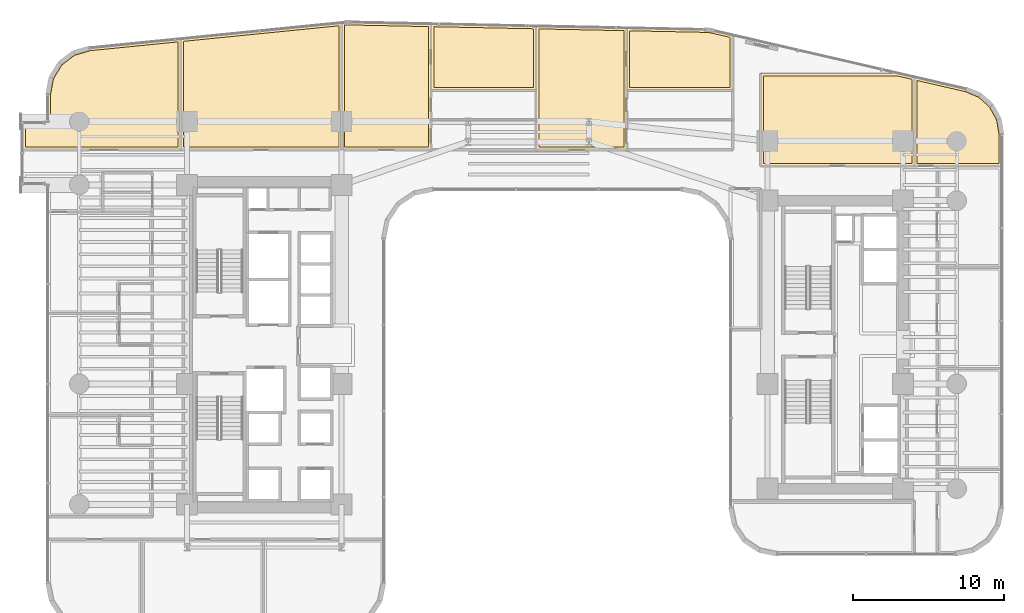
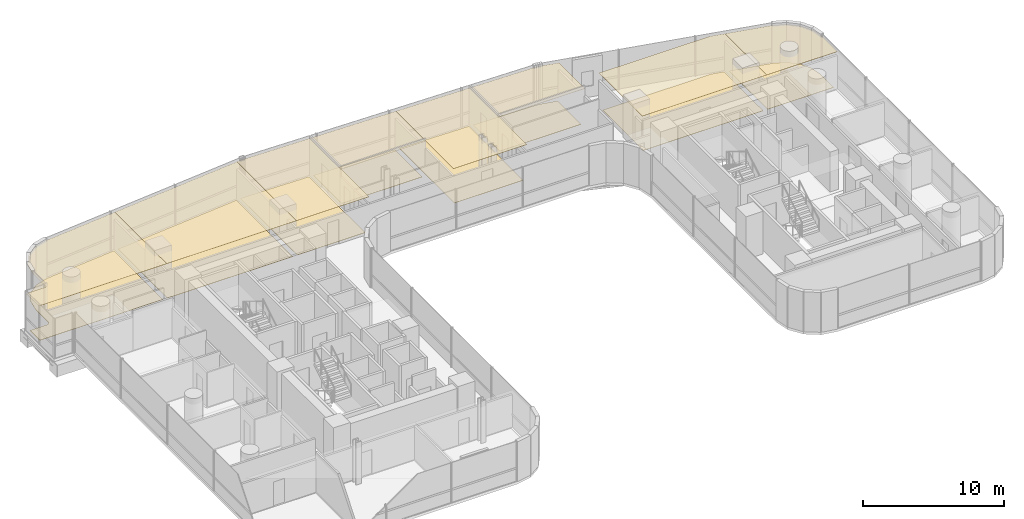
# One storey, part 41 of 41: 16 coverings.
"""IFC4 building model written with IfcOpenShell, lengths in metres."""

from ifc_helpers import new_model, si_unit, direction, frame, origin, place, context, subcontext, project, spatial, polyline, outline, extrude, material, layer, layer_set, type_object, element, save


model = new_model("IFC4")

# Units and contexts
model_context = context("Model", 3, precision=1e-05, world=origin(), true_north=direction((0.0, 1.0)))
body_context = subcontext(model_context, "Body", "Model", "MODEL_VIEW")
ifc_project = project(units=[si_unit("LENGTHUNIT", "METRE"), si_unit("AREAUNIT", "SQUARE_METRE"), si_unit("VOLUMEUNIT", "CUBIC_METRE"), si_unit("PLANEANGLEUNIT", "RADIAN"), si_unit("MASSUNIT", "GRAM", prefix="KILO")], contexts=[model_context])

# Site, building, storey
site_placement = place(None, origin())
site = spatial("IfcSite", under=ifc_project, at=site_placement, CompositionType="ELEMENT")
building_placement = place(site_placement, origin())
building = spatial("IfcBuilding", under=site, at=building_placement, Name="Valdorenza Pilgrim Sanctuary Tower", CompositionType="ELEMENT")
storey_placement = place(building_placement, frame((0.0, 0.0, 85.199951171875)))
storey = spatial("IfcBuildingStorey", under=building, at=storey_placement, Name="L21", CompositionType="ELEMENT", Elevation=85.199951171875)

# Coverings
ifc_material_1 = material(Name="Micro-perforated acoustic mineral ceiling tile", Category="gypsum")
ifc_layer_1 = layer(ifc_material_1, 0.02490234375, Name="Micro-perforated acoustic mineral ceiling tile")
ifc_layer_set_1 = layer_set([ifc_layer_1], Name="Micro-perforated acoustic mineral ceiling tile")
covering_type_1 = type_object("IfcCoveringType", Name="COV-CLG-ACU", PredefinedType="CEILING", material=ifc_layer_set_1)
covering_1_placement = place(storey_placement, frame((0.0, 0.0, 3.16015625)))
element("IfcCovering", 1, at=covering_1_placement, inside=storey, type_object=covering_type_1, Name="L21 Sacred Art Exhibition Gallery L21-N1 Acoustic Ceiling", PredefinedType="CEILING", context=body_context, shape_type="SweptSolid", body=[
    extrude(outline(polyline([(-33.5400390625, 12.905029296875), (-33.54150390625, 12.905029296875), (-33.54296875, 12.9052734375), (-33.54443359375, 12.905517578125), (-33.545654296875, 12.906005859375), (-33.547119140625, 12.90673828125), (-33.54833984375, 12.907470703125), (-33.549560546875, 12.908447265625), (-33.550537109375, 12.909423828125), (-33.551513671875, 12.910400390625), (-33.552490234375, 12.91162109375), (-33.55322265625, 12.912841796875), (-33.553955078125, 12.914306640625), (-33.554443359375, 12.91552734375), (-33.5546875, 12.9169921875), (-33.554931640625, 12.91845703125), (-33.554931640625, 12.919921875), (-33.554931640625, 14.68994140625), (-33.554931640625, 14.69140625), (-33.5546875, 14.69287109375), (-33.554443359375, 14.6943359375), (-33.553955078125, 14.69580078125), (-33.55322265625, 14.697021484375), (-33.552490234375, 14.6982421875), (-33.551513671875, 14.699462890625), (-33.550537109375, 14.70068359375), (-33.549560546875, 14.70166015625), (-33.54833984375, 14.702392578125), (-33.547119140625, 14.703125), (-33.545654296875, 14.703857421875), (-33.54443359375, 14.704345703125), (-33.54296875, 14.70458984375), (-33.54150390625, 14.704833984375), (-33.5400390625, 14.705078125), (-32.00048828125, 14.705078125), (-31.99072265625, 14.70556640625), (-31.9814453125, 14.706787109375), (-31.972412109375, 14.708984375), (-31.963623046875, 14.712158203125), (-31.955078125, 14.71630859375), (-31.947265625, 14.720947265625), (-31.939697265625, 14.7265625), (-31.932861328125, 14.73291015625), (-31.926513671875, 14.73974609375), (-31.9208984375, 14.747314453125), (-31.916259765625, 14.755126953125), (-31.912109375, 14.763671875), (-31.9091796875, 14.7724609375), (-31.90673828125, 14.781494140625), (-31.905517578125, 14.790771484375), (-31.905029296875, 14.80029296875), (-31.905029296875, 16.593994140625), (-31.90478515625, 16.59521484375), (-31.90478515625, 16.5966796875), (-31.6962890625, 17.717041015625), (-31.696044921875, 17.718505859375), (-31.695556640625, 17.7197265625), (-31.695068359375, 17.720947265625), (-31.6943359375, 17.72216796875), (-31.102294921875, 18.68408203125), (-31.1015625, 18.685302734375), (-31.100830078125, 18.686279296875), (-31.099853515625, 18.687255859375), (-31.0986328125, 18.688232421875), (-30.20068359375, 19.372802734375), (-30.199462890625, 19.37353515625), (-30.1982421875, 19.374267578125), (-30.197021484375, 19.374755859375), (-30.19580078125, 19.375244140625), (-29.1015625, 19.694091796875), (-29.10009765625, 19.694580078125), (-29.098876953125, 19.694580078125), (-23.071533203125, 20.29736328125), (-23.070068359375, 20.297607421875), (-23.068603515625, 20.29736328125), (-23.067138671875, 20.297119140625), (-23.065673828125, 20.296875), (-23.064208984375, 20.29638671875), (-23.06298828125, 20.295654296875), (-23.061767578125, 20.294921875), (-23.060546875, 20.294189453125), (-23.059326171875, 20.293212890625), (-23.058349609375, 20.2919921875), (-23.0576171875, 20.290771484375), (-23.056884765625, 20.28955078125), (-23.05615234375, 20.2880859375), (-23.0556640625, 20.286865234375), (-23.055419921875, 20.285400390625), (-23.05517578125, 20.283935546875), (-23.054931640625, 20.282470703125), (-23.054931640625, 12.919921875), (-23.05517578125, 12.91845703125), (-23.055419921875, 12.9169921875), (-23.0556640625, 12.91552734375), (-23.05615234375, 12.914306640625), (-23.056884765625, 12.912841796875), (-23.0576171875, 12.91162109375), (-23.058349609375, 12.910400390625), (-23.059326171875, 12.909423828125), (-23.060546875, 12.908447265625), (-23.061767578125, 12.907470703125), (-23.06298828125, 12.90673828125), (-23.064208984375, 12.906005859375), (-23.065673828125, 12.905517578125), (-23.067138671875, 12.9052734375), (-23.068603515625, 12.905029296875), (-23.070068359375, 12.905029296875), (-33.5400390625, 12.905029296875)])), origin(), (0.0, 0.0, 1.0), 0.02490234375),
])
covering_2_placement = place(storey_placement, frame((0.0, 0.0, 3.16015625)))
element("IfcCovering", 2, at=covering_2_placement, inside=storey, type_object=covering_type_1, Name="L21 Sacred Manuscript Archive L21-N2 Acoustic Ceiling", PredefinedType="CEILING", context=body_context, shape_type="SweptSolid", body=[
    extrude(outline(polyline([(-23.0830078125, 20.282470703125), (-23.0830078125, 20.283447265625), (-23.082763671875, 20.284912109375), (-23.08251953125, 20.28662109375), (-23.08203125, 20.287841796875), (-23.08154296875, 20.289306640625), (-23.080810546875, 20.290771484375), (-23.079833984375, 20.2919921875), (-23.078857421875, 20.29296875), (-23.07763671875, 20.294189453125), (-23.076416015625, 20.294921875), (-23.0751953125, 20.2958984375), (-23.073974609375, 20.29638671875), (-23.072509765625, 20.297119140625), (-23.071044921875, 20.29736328125), (-23.069580078125, 20.297607421875), (-12.401611328125, 21.364501953125), (-12.39990234375, 21.364501953125), (-12.3984375, 21.364501953125), (-12.397216796875, 21.3642578125), (-12.395751953125, 21.36376953125), (-12.394287109375, 21.36328125), (-12.392822265625, 21.36279296875), (-12.3916015625, 21.36181640625), (-12.390380859375, 21.361083984375), (-12.389404296875, 21.360107421875), (-12.388427734375, 21.35888671875), (-12.387451171875, 21.35791015625), (-12.38671875, 21.3564453125), (-12.385986328125, 21.355224609375), (-12.385498046875, 21.353759765625), (-12.38525390625, 21.352294921875), (-12.385009765625, 21.350830078125), (-12.385009765625, 21.349609375), (-12.385009765625, 12.919921875), (-12.385009765625, 12.91845703125), (-12.38525390625, 12.9169921875), (-12.385498046875, 12.91552734375), (-12.385986328125, 12.914306640625), (-12.38671875, 12.912841796875), (-12.387451171875, 12.91162109375), (-12.388427734375, 12.910400390625), (-12.389404296875, 12.909423828125), (-12.390380859375, 12.908447265625), (-12.3916015625, 12.907470703125), (-12.392822265625, 12.90673828125), (-12.394287109375, 12.906005859375), (-12.3955078125, 12.905517578125), (-12.397216796875, 12.9052734375), (-12.3984375, 12.905029296875), (-12.39990234375, 12.905029296875), (-23.068115234375, 12.905029296875), (-23.069580078125, 12.905029296875), (-23.07080078125, 12.9052734375), (-23.072509765625, 12.905517578125), (-23.07373046875, 12.906005859375), (-23.0751953125, 12.90673828125), (-23.076416015625, 12.907470703125), (-23.077392578125, 12.908447265625), (-23.07861328125, 12.909423828125), (-23.07958984375, 12.910400390625), (-23.08056640625, 12.91162109375), (-23.081298828125, 12.912841796875), (-23.081787109375, 12.914306640625), (-23.08251953125, 12.91552734375), (-23.082763671875, 12.9169921875), (-23.0830078125, 12.91845703125), (-23.0830078125, 12.919921875), (-23.0830078125, 20.282470703125), (-23.0830078125, 20.282470703125)])), origin(), (0.0, 0.0, 1.0), 0.02490234375),
])
covering_3_placement = place(storey_placement, frame((0.0, 0.0, 3.16015625)))
element("IfcCovering", 3, at=covering_3_placement, inside=storey, type_object=covering_type_1, Name="L21 North Sanctuary Apartment L21-N3 Bedroom Acoustic Ceiling", PredefinedType="CEILING", context=body_context, shape_type="SweptSolid", body=[
    extrude(outline(polyline([(-6.466064453125, 16.85498046875), (-6.467529296875, 16.85498046875), (-6.468994140625, 16.855224609375), (-6.470458984375, 16.855712890625), (-6.4716796875, 16.856201171875), (-6.47314453125, 16.856689453125), (-6.474365234375, 16.857421875), (-6.4755859375, 16.8583984375), (-6.4765625, 16.859375), (-6.4775390625, 16.860595703125), (-6.478515625, 16.86181640625), (-6.479248046875, 16.86279296875), (-6.47998046875, 16.8642578125), (-6.48046875, 16.865478515625), (-6.480712890625, 16.8671875), (-6.48095703125, 16.868408203125), (-6.48095703125, 16.8701171875), (-6.48095703125, 21.274658203125), (-6.48095703125, 21.276123046875), (-6.480712890625, 21.277587890625), (-6.480224609375, 21.279052734375), (-6.479736328125, 21.280517578125), (-6.479248046875, 21.281982421875), (-6.478515625, 21.283203125), (-6.4775390625, 21.2841796875), (-6.4765625, 21.285400390625), (-6.475341796875, 21.286376953125), (-6.47412109375, 21.287353515625), (-6.472900390625, 21.2880859375), (-6.471435546875, 21.28857421875), (-6.47021484375, 21.2890625), (-6.46875, 21.28955078125), (-6.46728515625, 21.289794921875), (-6.4658203125, 21.289794921875), (0.500244140625, 21.14453125), (0.501708984375, 21.14453125), (0.503173828125, 21.144287109375), (0.504638671875, 21.143798828125), (0.506103515625, 21.143310546875), (0.50732421875, 21.142578125), (0.508544921875, 21.141845703125), (0.509765625, 21.14111328125), (0.5107421875, 21.14013671875), (0.51171875, 21.138916015625), (0.512451171875, 21.1376953125), (0.51318359375, 21.13671875), (0.513916015625, 21.13525390625), (0.514404296875, 21.1337890625), (0.5146484375, 21.132568359375), (0.514892578125, 21.131103515625), (0.514892578125, 21.129638671875), (0.514892578125, 16.8701171875), (0.514892578125, 16.868408203125), (0.5146484375, 16.8671875), (0.514404296875, 16.865478515625), (0.513916015625, 16.8642578125), (0.51318359375, 16.86279296875), (0.512451171875, 16.86181640625), (0.51171875, 16.860595703125), (0.510498046875, 16.859375), (0.509521484375, 16.8583984375), (0.50830078125, 16.857421875), (0.507080078125, 16.856689453125), (0.505615234375, 16.856201171875), (0.50439453125, 16.855712890625), (0.5029296875, 16.855224609375), (0.50146484375, 16.85498046875), (0.5, 16.85498046875), (-6.466064453125, 16.85498046875)])), origin(), (0.0, 0.0, 1.0), 0.02490234375),
])
covering_4_placement = place(storey_placement, frame((0.0, 0.0, 3.16015625)))
element("IfcCovering", 4, at=covering_4_placement, inside=storey, type_object=covering_type_1, Name="L21 North Sanctuary Apartment L21-N3 Living Room Acoustic Ceiling", PredefinedType="CEILING", context=body_context, shape_type="SweptSolid", body=[
    extrude(outline(polyline([(-12.4130859375, 21.349609375), (-12.4130859375, 21.3505859375), (-12.412841796875, 21.35205078125), (-12.41259765625, 21.353515625), (-12.412109375, 21.35498046875), (-12.41162109375, 21.356201171875), (-12.41064453125, 21.357666015625), (-12.409912109375, 21.35888671875), (-12.408935546875, 21.360107421875), (-12.40771484375, 21.361083984375), (-12.406494140625, 21.362060546875), (-12.4052734375, 21.36279296875), (-12.40380859375, 21.363525390625), (-12.402587890625, 21.364013671875), (-12.40087890625, 21.364501953125), (-12.3994140625, 21.364501953125), (-12.18359375, 21.38623046875), (-12.183349609375, 21.38623046875), (-12.089599609375, 21.39404296875), (-12.089111328125, 21.39404296875), (-11.996337890625, 21.399169921875), (-11.995849609375, 21.3994140625), (-11.902587890625, 21.401611328125), (-11.90234375, 21.401611328125), (-11.808349609375, 21.40087890625), (-11.80810546875, 21.40087890625), (-6.4677734375, 21.289794921875), (-6.46630859375, 21.28955078125), (-6.46484375, 21.289306640625), (-6.46337890625, 21.2890625), (-6.4619140625, 21.28857421875), (-6.460693359375, 21.287841796875), (-6.45947265625, 21.287109375), (-6.458251953125, 21.2861328125), (-6.457275390625, 21.28515625), (-6.456298828125, 21.2841796875), (-6.45556640625, 21.282958984375), (-6.45458984375, 21.28173828125), (-6.4541015625, 21.280517578125), (-6.45361328125, 21.279052734375), (-6.453369140625, 21.277587890625), (-6.453125, 21.276123046875), (-6.452880859375, 21.274658203125), (-6.452880859375, 16.87548828125), (-6.45263671875, 16.875), (-6.4521484375, 16.87353515625), (-6.45166015625, 16.872314453125), (-6.451416015625, 16.870849609375), (-6.451171875, 16.869384765625), (-6.450927734375, 16.867919921875), (-6.450927734375, 12.919921875), (-6.451171875, 12.91845703125), (-6.451416015625, 12.9169921875), (-6.45166015625, 12.91552734375), (-6.4521484375, 12.914306640625), (-6.452880859375, 12.912841796875), (-6.45361328125, 12.91162109375), (-6.454345703125, 12.910400390625), (-6.455322265625, 12.909423828125), (-6.45654296875, 12.908447265625), (-6.457763671875, 12.907470703125), (-6.458984375, 12.90673828125), (-6.460205078125, 12.906005859375), (-6.461669921875, 12.905517578125), (-6.463134765625, 12.9052734375), (-6.464599609375, 12.905029296875), (-6.466064453125, 12.905029296875), (-12.39794921875, 12.905029296875), (-12.3994140625, 12.905029296875), (-12.40087890625, 12.9052734375), (-12.40234375, 12.905517578125), (-12.40380859375, 12.906005859375), (-12.405029296875, 12.90673828125), (-12.40625, 12.907470703125), (-12.407470703125, 12.908447265625), (-12.40869140625, 12.909423828125), (-12.40966796875, 12.910400390625), (-12.410400390625, 12.91162109375), (-12.4111328125, 12.912841796875), (-12.411865234375, 12.914306640625), (-12.412353515625, 12.91552734375), (-12.41259765625, 12.9169921875), (-12.412841796875, 12.91845703125), (-12.4130859375, 12.919921875), (-12.4130859375, 21.349609375), (-12.4130859375, 21.349609375)])), origin(), (0.0, 0.0, 1.0), 0.02490234375),
])
covering_5_placement = place(storey_placement, frame((0.0, 0.0, 3.16015625)))
element("IfcCovering", 5, at=covering_5_placement, inside=storey, type_object=covering_type_1, Name="L21 North Sanctuary Apartment L21-N4 Bedroom Acoustic Ceiling", PredefinedType="CEILING", context=body_context, shape_type="SweptSolid", body=[
    extrude(outline(polyline([(6.5029296875, 16.85498046875), (6.50146484375, 16.85498046875), (6.5, 16.855224609375), (6.49853515625, 16.855712890625), (6.497314453125, 16.856201171875), (6.495849609375, 16.856689453125), (6.49462890625, 16.857421875), (6.493408203125, 16.8583984375), (6.492431640625, 16.859375), (6.491455078125, 16.860595703125), (6.490478515625, 16.86181640625), (6.48974609375, 16.86279296875), (6.489013671875, 16.8642578125), (6.488525390625, 16.865478515625), (6.48828125, 16.8671875), (6.488037109375, 16.868408203125), (6.488037109375, 16.8701171875), (6.488037109375, 21.00439453125), (6.488037109375, 21.006103515625), (6.48828125, 21.007568359375), (6.48876953125, 21.0087890625), (6.4892578125, 21.01025390625), (6.48974609375, 21.01171875), (6.490478515625, 21.012939453125), (6.491455078125, 21.01416015625), (6.492431640625, 21.01513671875), (6.49365234375, 21.01611328125), (6.494873046875, 21.01708984375), (6.49609375, 21.017822265625), (6.49755859375, 21.0185546875), (6.498779296875, 21.018798828125), (6.500244140625, 21.019287109375), (6.501708984375, 21.01953125), (6.50341796875, 21.01953125), (11.666015625, 20.912109375), (11.66650390625, 20.911865234375), (11.82666015625, 20.904296875), (11.827392578125, 20.904296875), (11.98583984375, 20.888916015625), (11.986572265625, 20.888671875), (12.143798828125, 20.864990234375), (12.14453125, 20.864990234375), (12.302001953125, 20.832763671875), (12.30224609375, 20.832763671875), (13.553466796875, 20.5439453125), (13.5546875, 20.543701171875), (13.55615234375, 20.543212890625), (13.557373046875, 20.54248046875), (13.55859375, 20.541748046875), (13.559814453125, 20.540771484375), (13.560791015625, 20.539794921875), (13.561767578125, 20.538818359375), (13.5625, 20.53759765625), (13.563232421875, 20.536376953125), (13.56396484375, 20.534912109375), (13.564453125, 20.53369140625), (13.564697265625, 20.5322265625), (13.56494140625, 20.53076171875), (13.56494140625, 20.529296875), (13.56494140625, 16.8701171875), (13.56494140625, 16.868408203125), (13.564697265625, 16.8671875), (13.564453125, 16.865478515625), (13.56396484375, 16.8642578125), (13.563232421875, 16.86279296875), (13.5625, 16.86181640625), (13.5615234375, 16.860595703125), (13.560546875, 16.859375), (13.5595703125, 16.8583984375), (13.558349609375, 16.857421875), (13.55712890625, 16.856689453125), (13.5556640625, 16.856201171875), (13.554443359375, 16.855712890625), (13.552978515625, 16.855224609375), (13.551513671875, 16.85498046875), (13.550048828125, 16.85498046875), (6.5029296875, 16.85498046875)])), origin(), (0.0, 0.0, 1.0), 0.02490234375),
])
covering_6_placement = place(storey_placement, frame((0.0, 0.0, 3.16015625)))
element("IfcCovering", 6, at=covering_6_placement, inside=storey, type_object=covering_type_1, Name="L21 North Sanctuary Apartment L21-N4 Living Room Acoustic Ceiling", PredefinedType="CEILING", context=body_context, shape_type="SweptSolid", body=[
    extrude(outline(polyline([(0.487060546875, 14.918212890625), (0.48681640625, 14.9189453125), (0.48681640625, 14.92041015625), (0.48681640625, 14.922119140625), (0.48681640625, 14.923583984375), (0.487060546875, 14.923828125), (0.487060546875, 16.8662109375), (0.48681640625, 16.866943359375), (0.48681640625, 16.868408203125), (0.48681640625, 16.8701171875), (0.48681640625, 16.87158203125), (0.487060546875, 16.871826171875), (0.487060546875, 21.12939453125), (0.487060546875, 21.131103515625), (0.4873046875, 21.132568359375), (0.48779296875, 21.1337890625), (0.48828125, 21.13525390625), (0.48876953125, 21.13671875), (0.489501953125, 21.137939453125), (0.490478515625, 21.13916015625), (0.491455078125, 21.140380859375), (0.49267578125, 21.14111328125), (0.493896484375, 21.14208984375), (0.4951171875, 21.142822265625), (0.49658203125, 21.1435546875), (0.497802734375, 21.14404296875), (0.499267578125, 21.144287109375), (0.500732421875, 21.14453125), (0.502197265625, 21.14453125), (6.501220703125, 21.01953125), (6.502685546875, 21.019287109375), (6.504150390625, 21.019287109375), (6.505615234375, 21.018798828125), (6.507080078125, 21.018310546875), (6.50830078125, 21.017578125), (6.509521484375, 21.016845703125), (6.5107421875, 21.01611328125), (6.51171875, 21.014892578125), (6.5126953125, 21.013916015625), (6.513427734375, 21.0126953125), (6.514404296875, 21.011474609375), (6.514892578125, 21.01025390625), (6.515380859375, 21.0087890625), (6.515625, 21.00732421875), (6.515869140625, 21.006103515625), (6.51611328125, 21.004638671875), (6.51611328125, 16.87548828125), (6.516357421875, 16.875), (6.516845703125, 16.87353515625), (6.517333984375, 16.872314453125), (6.517578125, 16.870849609375), (6.517822265625, 16.869384765625), (6.51806640625, 16.867919921875), (6.51806640625, 12.919921875), (6.517822265625, 12.91845703125), (6.517578125, 12.9169921875), (6.517333984375, 12.91552734375), (6.516845703125, 12.914306640625), (6.51611328125, 12.912841796875), (6.515380859375, 12.91162109375), (6.5146484375, 12.910400390625), (6.513671875, 12.909423828125), (6.512451171875, 12.908447265625), (6.51123046875, 12.907470703125), (6.510009765625, 12.90673828125), (6.5087890625, 12.906005859375), (6.50732421875, 12.905517578125), (6.505859375, 12.9052734375), (6.50439453125, 12.905029296875), (6.5029296875, 12.905029296875), (0.501953125, 12.905029296875), (0.50048828125, 12.905029296875), (0.4990234375, 12.9052734375), (0.49755859375, 12.905517578125), (0.496337890625, 12.906005859375), (0.494873046875, 12.90673828125), (0.49365234375, 12.907470703125), (0.492431640625, 12.908447265625), (0.491455078125, 12.909423828125), (0.490478515625, 12.910400390625), (0.489501953125, 12.91162109375), (0.48876953125, 12.912841796875), (0.488037109375, 12.914306640625), (0.487548828125, 12.91552734375), (0.4873046875, 12.9169921875), (0.487060546875, 12.91845703125), (0.487060546875, 12.919921875), (0.487060546875, 14.918212890625)])), origin(), (0.0, 0.0, 1.0), 0.02490234375),
])
covering_7_placement = place(storey_placement, frame((0.0, 0.0, 3.16015625)))
element("IfcCovering", 7, at=covering_7_placement, inside=storey, type_object=covering_type_1, Name="L21 Curator Research Office L21-BN1 Acoustic Ceiling", PredefinedType="CEILING", context=body_context, shape_type="SweptSolid", body=[
    extrude(outline(polyline([(15.39990234375, 11.8349609375), (15.3984375, 11.835205078125), (15.397216796875, 11.835205078125), (15.3955078125, 11.835693359375), (15.394287109375, 11.836181640625), (15.392822265625, 11.8369140625), (15.3916015625, 11.83740234375), (15.390380859375, 11.83837890625), (15.389404296875, 11.83935546875), (15.388427734375, 11.840576171875), (15.387451171875, 11.841796875), (15.38671875, 11.843017578125), (15.385986328125, 11.84423828125), (15.385498046875, 11.845703125), (15.38525390625, 11.84716796875), (15.385009765625, 11.848388671875), (15.385009765625, 11.85009765625), (15.385009765625, 18.0), (15.385009765625, 18.00146484375), (15.38525390625, 18.0029296875), (15.385498046875, 18.00439453125), (15.385986328125, 18.005615234375), (15.38671875, 18.007080078125), (15.387451171875, 18.00830078125), (15.388427734375, 18.009521484375), (15.389404296875, 18.010498046875), (15.390380859375, 18.01171875), (15.3916015625, 18.012451171875), (15.392822265625, 18.01318359375), (15.394287109375, 18.013916015625), (15.3955078125, 18.014404296875), (15.397216796875, 18.0146484375), (15.3984375, 18.014892578125), (15.39990234375, 18.014892578125), (24.5107421875, 18.014892578125), (24.512451171875, 18.014892578125), (24.51416015625, 18.0146484375), (25.603515625, 17.76318359375), (25.604736328125, 17.762939453125), (25.606201171875, 17.76220703125), (25.607421875, 17.76171875), (25.608642578125, 17.760986328125), (25.609619140625, 17.760009765625), (25.61083984375, 17.759033203125), (25.61181640625, 17.758056640625), (25.612548828125, 17.7568359375), (25.61328125, 17.755615234375), (25.614013671875, 17.75439453125), (25.614501953125, 17.7529296875), (25.61474609375, 17.75146484375), (25.614990234375, 17.75), (25.614990234375, 17.74853515625), (25.614990234375, 11.85009765625), (25.614990234375, 11.848388671875), (25.61474609375, 11.84716796875), (25.614501953125, 11.845703125), (25.614013671875, 11.84423828125), (25.61328125, 11.843017578125), (25.612548828125, 11.841796875), (25.611572265625, 11.840576171875), (25.610595703125, 11.83935546875), (25.609619140625, 11.83837890625), (25.6083984375, 11.83740234375), (25.607177734375, 11.8369140625), (25.605712890625, 11.836181640625), (25.6044921875, 11.835693359375), (25.602783203125, 11.835205078125), (25.6015625, 11.835205078125), (25.60009765625, 11.8349609375), (15.39990234375, 11.8349609375)])), origin(), (0.0, 0.0, 1.0), 0.02490234375),
])
covering_8_placement = place(storey_placement, frame((0.0, 0.0, 3.16015625)))
element("IfcCovering", 8, at=covering_8_placement, inside=storey, type_object=covering_type_1, Name="L21 East Wing Reference Library L21-BNE Acoustic Ceiling", PredefinedType="CEILING", context=body_context, shape_type="SweptSolid", body=[
    extrude(outline(polyline([(28.9892578125, 16.98193359375), (28.990478515625, 16.981689453125), (28.99169921875, 16.981201171875), (29.95361328125, 16.580322265625), (29.955078125, 16.57958984375), (29.95654296875, 16.57861328125), (29.9580078125, 16.57763671875), (30.72705078125, 15.88818359375), (30.728271484375, 15.886962890625), (30.729248046875, 15.8857421875), (30.72998046875, 15.88427734375), (31.22900390625, 14.97998046875), (31.2294921875, 14.978271484375), (31.230224609375, 14.976806640625), (31.230712890625, 14.97509765625), (31.40478515625, 13.947509765625), (31.40478515625, 13.9462890625), (31.405029296875, 13.945068359375), (31.405029296875, 11.85009765625), (31.40478515625, 11.848388671875), (31.40478515625, 11.84716796875), (31.404296875, 11.845703125), (31.40380859375, 11.84423828125), (31.4033203125, 11.843017578125), (31.402587890625, 11.841796875), (31.401611328125, 11.840576171875), (31.400634765625, 11.83935546875), (31.3994140625, 11.83837890625), (31.398193359375, 11.83740234375), (31.397216796875, 11.8369140625), (31.395751953125, 11.836181640625), (31.394287109375, 11.835693359375), (31.392822265625, 11.835205078125), (31.3916015625, 11.835205078125), (31.389892578125, 11.8349609375), (25.60205078125, 11.8349609375), (25.6005859375, 11.835205078125), (25.59912109375, 11.835205078125), (25.59765625, 11.835693359375), (25.59619140625, 11.836181640625), (25.594970703125, 11.8369140625), (25.59375, 11.83740234375), (25.592529296875, 11.83837890625), (25.59130859375, 11.83935546875), (25.59033203125, 11.840576171875), (25.589599609375, 11.841796875), (25.5888671875, 11.843017578125), (25.588134765625, 11.84423828125), (25.587646484375, 11.845703125), (25.58740234375, 11.84716796875), (25.587158203125, 11.848388671875), (25.5869140625, 11.85009765625), (25.5869140625, 17.748291015625), (25.587158203125, 17.749755859375), (25.58740234375, 17.751220703125), (25.587646484375, 17.752685546875), (25.588134765625, 17.75390625), (25.5888671875, 17.75537109375), (25.589599609375, 17.756591796875), (25.590576171875, 17.7578125), (25.591552734375, 17.7587890625), (25.5927734375, 17.760009765625), (25.593994140625, 17.7607421875), (25.59521484375, 17.761474609375), (25.596435546875, 17.76220703125), (25.597900390625, 17.7626953125), (25.599365234375, 17.762939453125), (25.600830078125, 17.76318359375), (25.602294921875, 17.76318359375), (25.60400390625, 17.76318359375), (25.60546875, 17.7626953125), (28.9892578125, 16.98193359375)])), origin(), (0.0, 0.0, 1.0), 0.02490234375),
])
ifc_material_2 = material(Name="Engineered European oak timber flooring", Category="wood")
ifc_layer_2 = layer(ifc_material_2, 0.02197265625, Name="Engineered European oak timber flooring")
ifc_layer_set_2 = layer_set([ifc_layer_2], Name="Engineered European oak timber flooring")
covering_type_2 = type_object("IfcCoveringType", Name="COV-FLR-OAK", PredefinedType="FLOORING", material=ifc_layer_set_2)
covering_9_placement = place(storey_placement, origin())
element("IfcCovering", 9, at=covering_9_placement, inside=storey, type_object=covering_type_2, Name="L21 North Sanctuary Apartment L21-N3 Bedroom Flooring", PredefinedType="FLOORING", context=body_context, shape_type="SweptSolid", body=[
    extrude(outline(polyline([(-6.285888671875, 17.050048828125), (-6.285888671875, 21.0908203125), (0.320068359375, 20.953369140625), (0.320068359375, 17.050048828125), (-6.285888671875, 17.050048828125)])), origin(), (0.0, 0.0, 1.0), 0.025146484375),
])
covering_10_placement = place(storey_placement, origin())
element("IfcCovering", 10, at=covering_10_placement, inside=storey, type_object=covering_type_2, Name="L21 North Sanctuary Apartment L21-N3 Living Room Flooring", PredefinedType="FLOORING", context=body_context, shape_type="SweptSolid", body=[
    extrude(outline(polyline([(-12.218017578125, 13.10009765625), (-12.218017578125, 21.186767578125), (-12.165283203125, 21.19189453125), (-12.07568359375, 21.19970703125), (-11.98828125, 21.204345703125), (-11.900634765625, 21.20654296875), (-11.810791015625, 21.2060546875), (-6.64794921875, 21.098388671875), (-6.64794921875, 16.8701171875), (-6.64599609375, 13.10009765625), (-12.218017578125, 13.10009765625)])), origin(), (0.0, 0.0, 1.0), 0.025146484375),
])
covering_11_placement = place(storey_placement, origin())
element("IfcCovering", 11, at=covering_11_placement, inside=storey, type_object=covering_type_2, Name="L21 North Sanctuary Apartment L21-N4 Bedroom Flooring", PredefinedType="FLOORING", context=body_context, shape_type="SweptSolid", body=[
    extrude(outline(polyline([(6.68310546875, 17.050048828125), (6.68310546875, 20.82080078125), (11.65966796875, 20.717041015625), (11.81298828125, 20.7099609375), (11.962158203125, 20.6953125), (12.110107421875, 20.6728515625), (12.2607421875, 20.64208984375), (13.3701171875, 20.38623046875), (13.3701171875, 17.050048828125), (6.68310546875, 17.050048828125)])), origin(), (0.0, 0.0, 1.0), 0.025146484375),
])
covering_12_placement = place(storey_placement, origin())
element("IfcCovering", 12, at=covering_12_placement, inside=storey, type_object=covering_type_2, Name="L21 North Sanctuary Apartment L21-N4 Living Room Flooring", PredefinedType="FLOORING", context=body_context, shape_type="SweptSolid", body=[
    extrude(outline(polyline([(0.681884765625, 14.921630859375), (0.681884765625, 14.922119140625), (0.681884765625, 16.867919921875), (0.681884765625, 16.868896484375), (0.681884765625, 16.86962890625), (0.681884765625, 16.8701171875), (0.681884765625, 20.94580078125), (6.321044921875, 20.828369140625), (6.321044921875, 16.8701171875), (6.322998046875, 13.10009765625), (0.681884765625, 13.10009765625), (0.681884765625, 14.919921875), (0.681884765625, 14.9208984375), (0.681884765625, 14.921630859375)])), origin(), (0.0, 0.0, 1.0), 0.025146484375),
])
ifc_material_3 = material(Name="Honed travertine stone flooring", Category="masonry")
ifc_layer_3 = layer(ifc_material_3, 0.030029296875, Name="Honed travertine stone flooring")
ifc_layer_set_3 = layer_set([ifc_layer_3], Name="Honed travertine stone flooring")
covering_type_3 = type_object("IfcCoveringType", Name="COV-FLR-TRV", PredefinedType="FLOORING", material=ifc_layer_set_3)
covering_13_placement = place(storey_placement, origin())
element("IfcCovering", 13, at=covering_13_placement, inside=storey, type_object=covering_type_3, Name="L21 Sacred Art Exhibition Gallery L21-N1 Flooring", PredefinedType="FLOORING", context=body_context, shape_type="SweptSolid", body=[
    extrude(outline(polyline([(-33.360107421875, 13.10009765625), (-33.360107421875, 14.510009765625), (-32.0, 14.510009765625), (-31.9912109375, 14.51025390625), (-31.98046875, 14.5107421875), (-31.962890625, 14.512451171875), (-31.9521484375, 14.51416015625), (-31.934814453125, 14.517578125), (-31.92431640625, 14.52001953125), (-31.907470703125, 14.525390625), (-31.897216796875, 14.52880859375), (-31.880859375, 14.53564453125), (-31.87109375, 14.540283203125), (-31.855712890625, 14.548583984375), (-31.84619140625, 14.55419921875), (-31.831787109375, 14.56396484375), (-31.822998046875, 14.5703125), (-31.809326171875, 14.58154296875), (-31.80126953125, 14.5888671875), (-31.788818359375, 14.601318359375), (-31.781494140625, 14.609375), (-31.7705078125, 14.623046875), (-31.763916015625, 14.631591796875), (-31.754150390625, 14.646240234375), (-31.74853515625, 14.655517578125), (-31.740234375, 14.671142578125), (-31.735595703125, 14.680908203125), (-31.72900390625, 14.697265625), (-31.725341796875, 14.70751953125), (-31.72021484375, 14.724365234375), (-31.717529296875, 14.73486328125), (-31.714111328125, 14.752197265625), (-31.71240234375, 14.7626953125), (-31.710693359375, 14.780517578125), (-31.710205078125, 14.791259765625), (-31.7099609375, 14.800048828125), (-31.7099609375, 16.577392578125), (-31.5107421875, 17.6484375), (-30.953857421875, 18.553466796875), (-30.109130859375, 19.197509765625), (-29.06298828125, 19.502197265625), (-23.25, 20.08349609375), (-23.25, 13.10009765625), (-33.360107421875, 13.10009765625)])), origin(), (0.0, 0.0, 1.0), 0.025146484375),
])
covering_14_placement = place(storey_placement, origin())
element("IfcCovering", 14, at=covering_14_placement, inside=storey, type_object=covering_type_3, Name="L21 Sacred Manuscript Archive L21-N2 Flooring", PredefinedType="FLOORING", context=body_context, shape_type="SweptSolid", body=[
    extrude(outline(polyline([(-22.887939453125, 13.10009765625), (-22.887939453125, 20.11962890625), (-12.580078125, 21.150634765625), (-12.580078125, 13.10009765625), (-22.887939453125, 13.10009765625)])), origin(), (0.0, 0.0, 1.0), 0.025146484375),
])
covering_15_placement = place(storey_placement, origin())
element("IfcCovering", 15, at=covering_15_placement, inside=storey, type_object=covering_type_3, Name="L21 Curator Research Office L21-BN1 Flooring", PredefinedType="FLOORING", context=body_context, shape_type="SweptSolid", body=[
    extrude(outline(polyline([(15.580078125, 12.030029296875), (15.580078125, 17.820068359375), (24.490234375, 17.820068359375), (25.419921875, 17.60546875), (25.419921875, 12.030029296875), (15.580078125, 12.030029296875)])), origin(), (0.0, 0.0, 1.0), 0.025146484375),
])
covering_16_placement = place(storey_placement, origin())
element("IfcCovering", 16, at=covering_16_placement, inside=storey, type_object=covering_type_3, Name="L21 East Wing Reference Library L21-BNE Flooring", PredefinedType="FLOORING", context=body_context, shape_type="SweptSolid", body=[
    extrude(outline(polyline([(28.9306640625, 16.79541015625), (29.8505859375, 16.412109375), (30.57421875, 15.763427734375), (31.04345703125, 14.912353515625), (31.2099609375, 13.929931640625), (31.2099609375, 12.030029296875), (25.781982421875, 12.030029296875), (25.781982421875, 17.52197265625), (28.9306640625, 16.79541015625)])), origin(), (0.0, 0.0, 1.0), 0.025146484375),
])

save(model, "model.ifc")
